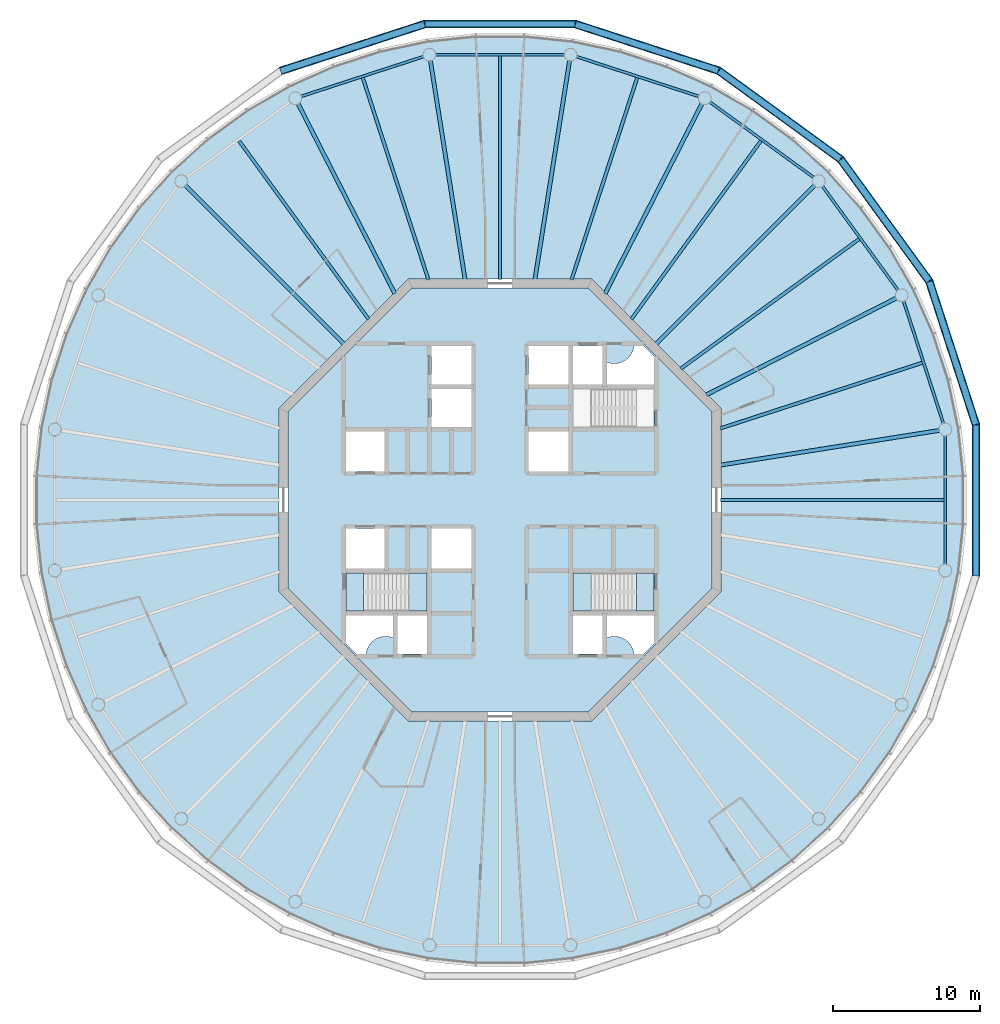
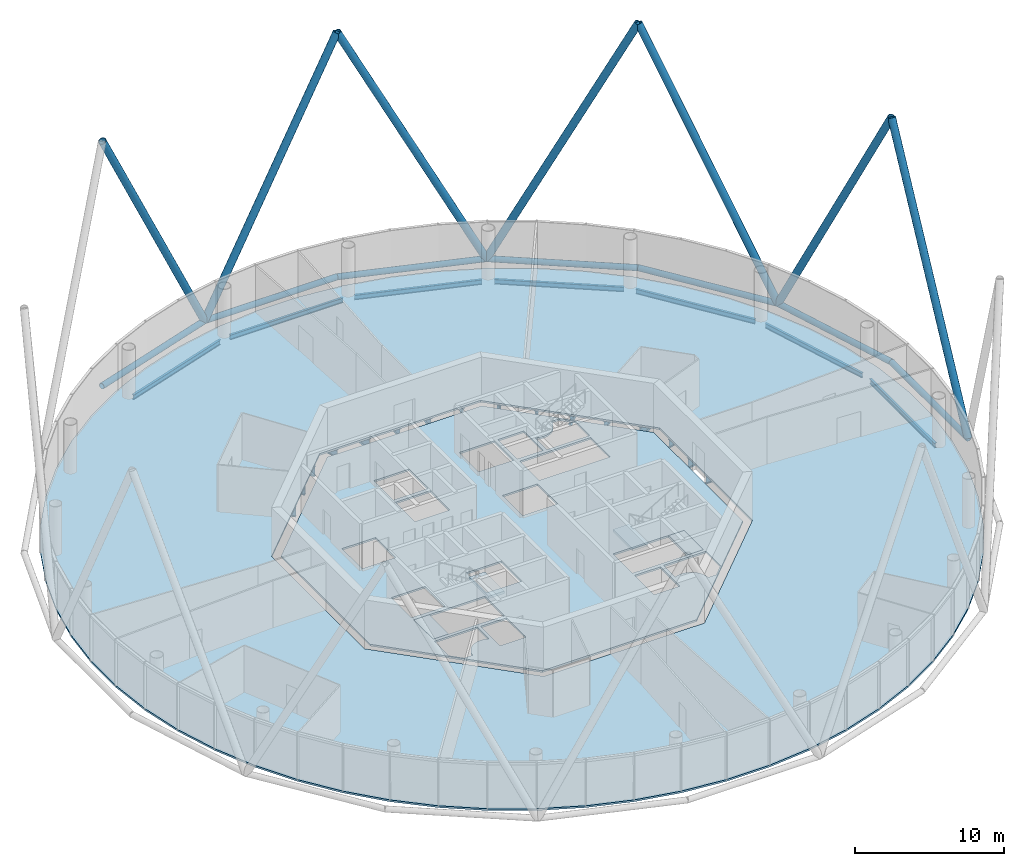
# One storey, part 2 of 13: 23 beams, 14 members, 6 slabs, 2 elements without a shape of their own.
"""IFC4 building model written with IfcOpenShell, lengths in metres."""

import ifcopenshell
import ifcopenshell.guid

model = None  # the IFC model being written
_history = None  # IfcOwnerHistory: only IFC2X3 demands one
_inside = {}  # id of a spatial element -> (the spatial element, [elements in it])
_under = {}  # id of a project, library or spatial element -> (it, [spatial elements below it])
_declared = {}  # id of a project -> (the project, [libraries it declares])
_typed = {}  # id of a type object -> (the type object, [elements of that type])
_made_of = {}  # id of a material, layer set ... -> (it, [elements and type objects made of it])


def new_model(schema):
    """Start an empty IFC model of exactly this schema.

    Asked for "IFC4X3", IfcOpenShell would pick the latest addendum, in which some entities
    have other attributes; the version numbers below select the first issue.
    IFC2X3 requires an IfcOwnerHistory on every rooted entity: one is made here for all.
    """
    global model, _history
    if schema == "IFC4X3":
        model = ifcopenshell.file(schema_version=(4, 3, 0, 0))
    else:
        model = ifcopenshell.file(schema=schema)
    _inside.clear()
    _under.clear()
    _declared.clear()
    _typed.clear()
    _made_of.clear()
    _history = None
    if model.schema == "IFC2X3":
        org = make("IfcOrganization", Name="unknown")
        user = make(
            "IfcPersonAndOrganization",
            ThePerson=make("IfcPerson", FamilyName="unknown"),
            TheOrganization=org,
        )
        app = make(
            "IfcApplication",
            ApplicationDeveloper=org,
            Version="unknown",
            ApplicationFullName="unknown",
            ApplicationIdentifier="unknown",
        )
        _history = make(
            "IfcOwnerHistory",
            OwningUser=user,
            OwningApplication=app,
            ChangeAction="ADDED",
            CreationDate=0,
        )
    return model


def make(cls, **values):
    """One entity of the class cls with the attributes given. An attribute that is None is left unset."""
    return model.create_entity(
        cls, **{name: value for name, value in values.items() if value is not None}
    )


def rooted(cls, **values):
    """An entity with a GlobalId (a new one), such as an element, a storey or a relation."""
    return make(cls, GlobalId=ifcopenshell.guid.new(), OwnerHistory=_history, **values)


def si_unit(unit_type, name, prefix=None):
    """IfcSIUnit, for example si_unit("LENGTHUNIT", "METRE", prefix="MILLI")."""
    return make("IfcSIUnit", UnitType=unit_type, Prefix=prefix, Name=name)


def assignment(units):
    """IfcUnitAssignment: the units of a project."""
    return None if units is None else make("IfcUnitAssignment", Units=units)


def point(xyz):
    """IfcCartesianPoint."""
    return None if xyz is None else make("IfcCartesianPoint", Coordinates=xyz)


def direction(xyz):
    """IfcDirection."""
    return None if xyz is None else make("IfcDirection", DirectionRatios=xyz)


def frame(location, z_axis=None, x_axis=None):
    """IfcAxis2Placement3D, a coordinate frame: its origin and axes. An axis left out is left unset."""
    return make(
        "IfcAxis2Placement3D",
        Location=point(location),
        Axis=direction(z_axis),
        RefDirection=direction(x_axis),
    )


def frame_2d(location, x_axis=None):
    """IfcAxis2Placement2D, a coordinate frame in the plane: its origin and x axis."""
    return make(
        "IfcAxis2Placement2D", Location=point(location), RefDirection=direction(x_axis)
    )


def origin():
    """The frame at (0, 0, 0) with its axes left unset."""
    return frame((0.0, 0.0, 0.0))


def origin_2d():
    """The frame at (0, 0) in the plane with its x axis left unset."""
    return frame_2d((0.0, 0.0))


def place(relative_to, where):
    """IfcLocalPlacement: puts the frame where relative to a parent placement (None: the world)."""
    return make(
        "IfcLocalPlacement", PlacementRelTo=relative_to, RelativePlacement=where
    )


def context(
    kind, dimensions, precision=None, world=None, true_north=None, identifier=None
):
    """IfcGeometricRepresentationContext, for example the 3D "Model" context."""
    return make(
        "IfcGeometricRepresentationContext",
        ContextIdentifier=identifier,
        ContextType=kind,
        CoordinateSpaceDimension=dimensions,
        Precision=precision,
        WorldCoordinateSystem=world,
        TrueNorth=true_north,
    )


def subcontext(parent, identifier, kind, view, scale=None):
    """IfcGeometricRepresentationSubContext, for example "Body" below "Model"."""
    return make(
        "IfcGeometricRepresentationSubContext",
        ContextIdentifier=identifier,
        ContextType=kind,
        ParentContext=parent,
        TargetScale=scale,
        TargetView=view,
    )


def project(units=None, contexts=None):
    """IfcProject with its units and contexts."""
    return rooted(
        "IfcProject",
        Name="project",
        RepresentationContexts=contexts,
        UnitsInContext=assignment(units),
    )


def spatial(cls, under=None, at=None, **own):
    """A site, building, storey or space (cls), placed at a placement, below another one or the project."""
    s = rooted(cls, ObjectPlacement=at, **own)
    if under is not None:
        _under.setdefault(under.id(), (under, []))[1].append(s)
    return s


def polyline(points):
    """IfcPolyline through the points."""
    return make("IfcPolyline", Points=[point(p) for p in points])


def profile(cls, at=None, kind="AREA", **sizes):
    """A parametric profile (cls). Its sizes go by their IFC names, for example OverallWidth=200.0."""
    return make(cls, ProfileType=kind, Position=at, **sizes)


def circle(**sizes):
    """IfcCircleProfileDef."""
    return profile("IfcCircleProfileDef", **sizes)


def hollow_circle(**sizes):
    """IfcCircleHollowProfileDef."""
    return profile("IfcCircleHollowProfileDef", **sizes)


def i_section(**sizes):
    """IfcIShapeProfileDef."""
    return profile("IfcIShapeProfileDef", **sizes)


def outline(outer, holes=None, kind="AREA"):
    """IfcArbitraryClosedProfileDef: a profile drawn as a closed curve; with holes, ...WithVoids."""
    if holes is None:
        return make("IfcArbitraryClosedProfileDef", ProfileType=kind, OuterCurve=outer)
    return make(
        "IfcArbitraryProfileDefWithVoids",
        ProfileType=kind,
        OuterCurve=outer,
        InnerCurves=holes,
    )


def extrude(swept, where, along, depth):
    """IfcExtrudedAreaSolid: the profile swept, set in the frame where, extruded along a direction by depth."""
    return make(
        "IfcExtrudedAreaSolid",
        SweptArea=swept,
        Position=where,
        ExtrudedDirection=direction(along),
        Depth=depth,
    )


def shape(context_of_items, identifier, shape_type, items):
    """IfcShapeRepresentation: the items that make up one representation, for example the "Body"."""
    return make(
        "IfcShapeRepresentation",
        ContextOfItems=context_of_items,
        RepresentationIdentifier=identifier,
        RepresentationType=shape_type,
        Items=items,
    )


def material(Name=None, Category=None):
    """IfcMaterial."""
    return make("IfcMaterial", Name=Name, Category=Category)


def layer(
    of_material, thickness, ventilated=None, Name=None, Category=None, Priority=None
):
    """IfcMaterialLayer: one layer of a wall or slab, of a material (None: an air gap)."""
    return make(
        "IfcMaterialLayer",
        Material=of_material,
        LayerThickness=thickness,
        IsVentilated=ventilated,
        Name=Name,
        Category=Category,
        Priority=Priority,
    )


def layer_set(layers, Name=None):
    """IfcMaterialLayerSet."""
    return make("IfcMaterialLayerSet", MaterialLayers=layers, LayerSetName=Name)


def material_profile(
    of_material, cross_section, Name=None, Category=None, Priority=None
):
    """IfcMaterialProfile: a cross section and its material."""
    return make(
        "IfcMaterialProfile",
        Name=Name,
        Material=of_material,
        Profile=cross_section,
        Priority=Priority,
        Category=Category,
    )


def profile_set(profiles, Name=None, composite=None):
    """IfcMaterialProfileSet."""
    return make(
        "IfcMaterialProfileSet",
        Name=Name,
        MaterialProfiles=profiles,
        CompositeProfile=composite,
    )


def made_of(thing, what):
    """Note that an element or type object is made of a material, layer set ...; save() writes the relation."""
    if what is not None:
        _made_of.setdefault(what.id(), (what, []))[1].append(thing)
    return thing


def type_object(cls, material=None, **own):
    """A type object (cls), such as IfcWallType, which elements share."""
    return made_of(rooted(cls, **own), material)


def element(
    cls,
    number,
    at=None,
    inside=None,
    cuts=None,
    type_object=None,
    material=None,
    context=None,
    identifier="Body",
    shape_type=None,
    held_by="IfcProductDefinitionShape",
    body=None,
    shapes=None,
    **own,
):
    """One element of the class cls, such as IfcWall. Its Tag is "e" and its number.

    at: its placement. inside: the storey or other place that contains it. cuts: it is an
    opening in that element (IfcRelVoidsElement). A single representation is given by context,
    identifier, shape_type and body (its items); several are given by shapes. held_by: the class
    of the entity that holds the representations. save() writes the other relations.
    """
    e = rooted(cls, Tag="e%d" % number, ObjectPlacement=at, **own)
    if body is not None:
        shapes = [shape(context, identifier, shape_type, body)]
    if shapes is not None:
        e.Representation = make(held_by, Representations=shapes)
    if inside is not None:
        _inside.setdefault(inside.id(), (inside, []))[1].append(e)
    if cuts is not None:
        rooted(
            "IfcRelVoidsElement", RelatingBuildingElement=cuts, RelatedOpeningElement=e
        )
    if type_object is not None:
        _typed.setdefault(type_object.id(), (type_object, []))[1].append(e)
    return made_of(e, material)


def aggregate(whole, parts):
    """IfcRelAggregates: a whole, such as a stair, and the parts it consists of."""
    return rooted("IfcRelAggregates", RelatingObject=whole, RelatedObjects=parts)


def save(model, path):
    """Write the relations noted so far, then the file.

    IfcRelAggregates (storeys below a building ...), IfcRelContainedInSpatialStructure (elements
    in a storey), IfcRelDefinesByType, IfcRelAssociatesMaterial and IfcRelDeclares: one each for
    every whole, place, type object, material and project.
    """
    for whole, parts in _under.values():
        aggregate(whole, parts)
    for where, things in _inside.values():
        rooted(
            "IfcRelContainedInSpatialStructure",
            RelatedElements=things,
            RelatingStructure=where,
        )
    for kind, things in _typed.values():
        rooted("IfcRelDefinesByType", RelatedObjects=things, RelatingType=kind)
    for what, things in _made_of.values():
        rooted("IfcRelAssociatesMaterial", RelatedObjects=things, RelatingMaterial=what)
    for by, libraries in _declared.values():
        rooted("IfcRelDeclares", RelatingContext=by, RelatedDefinitions=libraries)
    model.write(path)


model = new_model("IFC4")

# Units and contexts
model_context = context("Model", 3, precision=1e-05, world=origin(), true_north=direction((0.0, 1.0)))
body_context = subcontext(model_context, "Body", "Model", "MODEL_VIEW")
ifc_project = project(units=[si_unit("LENGTHUNIT", "METRE"), si_unit("AREAUNIT", "SQUARE_METRE"), si_unit("VOLUMEUNIT", "CUBIC_METRE"), si_unit("PLANEANGLEUNIT", "RADIAN"), si_unit("MASSUNIT", "GRAM", prefix="KILO")], contexts=[model_context])

# Site, building, storey
site_placement = place(None, origin())
site = spatial("IfcSite", under=ifc_project, at=site_placement, CompositionType="ELEMENT")
building_placement = place(site_placement, origin())
building = spatial("IfcBuilding", under=site, at=building_placement, Name="Entoto Ring Tower", CompositionType="ELEMENT")
storey_placement = place(building_placement, frame((0.0, 0.0, 372.0)))
storey = spatial("IfcBuildingStorey", under=building, at=storey_placement, Name="L86", CompositionType="ELEMENT", Elevation=372.0)

# Members
ifc_material_1 = material(Name="Steel S355", Category="steel")
ifc_material_profile_1 = material_profile(ifc_material_1, hollow_circle(Radius=0.279541015625, WallThickness=0.031982421875, at=origin_2d()), Name="CHS 559 x 32")
ifc_material_2 = material(Name="Concrete C60/75", Category="concrete")
ifc_material_profile_2 = material_profile(ifc_material_2, circle(Radius=0.24755859375, at=origin_2d()), Name="Concrete C60/75 infill")
ifc_profile_set_1 = profile_set([ifc_material_profile_1, ifc_material_profile_2], Name="Steel S355")
member_type_1 = type_object("IfcMemberType", Name="Diagrid diagonal 559 x 32 concrete-filled tube", PredefinedType="BRACE", material=ifc_profile_set_1)
for number, where, z_axis, x_axis, name in (
    (1, (119.135986328125, 94.845458984375, 0.0), (0.140725857901, -0.433121348428, 0.890282051068), (0.95105896794, 0.309009448885, 0.0), "DG7A module 28 01"),
    (2, (119.135986328125, 94.845458984375, 0.0), (-0.2676922089, 0.368435420028, 0.890278733074), (-0.809008424404, -0.587797047665, 0.0), "DG7A module 28 02"),
    (3, (104.845458984375, 109.135986328125, 0.0), (0.368435420028, -0.2676922089, 0.890278733074), (0.587797047665, 0.809008424404, 0.0), "DG7A module 28 03"),
    (4, (104.845458984375, 109.135986328125, 0.0), (-0.433121348428, 0.140725857901, 0.890282051068), (-0.309009448885, -0.95105896794, 0.0), "DG7A module 28 04"),
    (5, (84.884521484375, 112.29736328125, 0.0), (0.455419317756, 0.0, 0.890277060816), (0.0, 1.0, 0.0), "DG7A module 28 05"),
    (6, (84.884521484375, 112.29736328125, 0.0), (-0.433121348428, -0.140725857901, 0.890282051068), (0.309009448885, -0.95105896794, 0.0), "DG7A module 28 06"),
    (7, (122.29736328125, 74.884521484375, 0.0), (0.0, 0.455419317756, 0.890277060816), (-1.0, 0.0, 0.0), "DG7A module 28 20"),
):
    element("IfcMember", number, at=place(storey_placement, frame(where, z_axis=z_axis, x_axis=x_axis)), inside=storey, type_object=member_type_1, Name=name, PredefinedType="BRACE", context=body_context, shape_type="SweptSolid", body=[
        extrude(hollow_circle(Radius=0.279541015625, WallThickness=0.031982421875, at=origin_2d()), origin(), (0.0, 0.0, 1.0), 22.46484375),
    ])
ifc_material_3 = material(Name="Steel S355", Category="steel")
ifc_material_profile_3 = material_profile(ifc_material_3, hollow_circle(Radius=0.228515625, WallThickness=0.02001953125, at=origin_2d()), Name="CHS 457 x 20")
ifc_material_4 = material(Name="Concrete C60/75", Category="concrete")
ifc_material_profile_4 = material_profile(ifc_material_4, circle(Radius=0.20849609375, at=origin_2d()), Name="Concrete C60/75 infill")
ifc_profile_set_2 = profile_set([ifc_material_profile_3, ifc_material_profile_4], Name="Steel S355")
member_type_2 = type_object("IfcMemberType", Name="Diagrid ring beam 457 x 20", PredefinedType="CHORD", material=ifc_profile_set_2)
for number, where, z_axis, x_axis, name in (
    (8, (119.1689453125, 94.800048828125, 0.0), (-0.587781465034, 0.809019745966, 0.0), (-0.809019745966, -0.587781465034, 0.0), "DR3 ring 27 01"),
    (9, (113.16796875, 103.08935546875, 0.0), (-0.809019745966, 0.587781465034, 0.0), (-0.587781465034, -0.809019745966, 0.0), "DR3 ring 27 02"),
):
    element("IfcMember", number, at=place(storey_placement, frame(where, z_axis=z_axis, x_axis=x_axis)), inside=storey, type_object=member_type_2, Name=name, PredefinedType="CHORD", context=body_context, shape_type="SweptSolid", body=[
        extrude(hollow_circle(Radius=0.228515625, WallThickness=0.02001953125, at=origin_2d()), origin(), (0.0, 0.0, 1.0), 10.34326171875),
    ])
member_1_placement = place(storey_placement, frame((104.89892578125, 109.11865234375, 0.0), z_axis=(-0.951061125206, 0.309002809244, 0.0), x_axis=(-0.309002809244, -0.951061125206, 0.0)))
element("IfcMember", 10, at=member_1_placement, inside=storey, type_object=member_type_2, Name="DR3 ring 27 03", PredefinedType="CHORD", context=body_context, shape_type="SweptSolid", body=[
    extrude(hollow_circle(Radius=0.228515625, WallThickness=0.02001953125, at=origin_2d()), origin(), (0.0, 0.0, 1.0), 10.343017578125),
])
member_2_placement = place(storey_placement, frame((95.171630859375, 112.29736328125, 0.0), z_axis=(-1.0, 0.0, 0.0), x_axis=(0.0, -1.0, 0.0)))
element("IfcMember", 11, at=member_2_placement, inside=storey, type_object=member_type_2, Name="DR3 ring 27 04", PredefinedType="CHORD", context=body_context, shape_type="SweptSolid", body=[
    extrude(hollow_circle(Radius=0.228515625, WallThickness=0.02001953125, at=origin_2d()), origin(), (0.0, 0.0, 1.0), 10.34326171875),
])
member_3_placement = place(storey_placement, frame((84.93798828125, 112.314697265625, 0.0), z_axis=(-0.951061125206, -0.309002809244, 0.0), x_axis=(0.309002809244, -0.951061125206, 0.0)))
element("IfcMember", 12, at=member_3_placement, inside=storey, type_object=member_type_2, Name="DR3 ring 27 05", PredefinedType="CHORD", context=body_context, shape_type="SweptSolid", body=[
    extrude(hollow_circle(Radius=0.228515625, WallThickness=0.02001953125, at=origin_2d()), origin(), (0.0, 0.0, 1.0), 10.343017578125),
])
member_4_placement = place(storey_placement, frame((122.29736328125, 74.828369140625, 0.0), z_axis=(0.0, 1.0, 0.0), x_axis=(-1.0, 0.0, 0.0)))
element("IfcMember", 13, at=member_4_placement, inside=storey, type_object=member_type_2, Name="DR3 ring 27 19", PredefinedType="CHORD", context=body_context, shape_type="SweptSolid", body=[
    extrude(hollow_circle(Radius=0.228515625, WallThickness=0.02001953125, at=origin_2d()), origin(), (0.0, 0.0, 1.0), 10.34326171875),
])
member_5_placement = place(storey_placement, frame((122.314697265625, 85.06201171875, 0.0), z_axis=(-0.309002809244, 0.951061125206, 0.0), x_axis=(-0.951061125206, -0.309002809244, 0.0)))
element("IfcMember", 14, at=member_5_placement, inside=storey, type_object=member_type_2, Name="DR3 ring 27 20", PredefinedType="CHORD", context=body_context, shape_type="SweptSolid", body=[
    extrude(hollow_circle(Radius=0.228515625, WallThickness=0.02001953125, at=origin_2d()), origin(), (0.0, 0.0, 1.0), 10.343017578125),
])

# Beams
ifc_material_5 = material(Name="Steel S355", Category="steel")
ifc_material_profile_5 = material_profile(ifc_material_5, i_section(OverallWidth=0.179931640625, OverallDepth=0.39990234375, WebThickness=0.008544921875, FlangeThickness=0.013427734375, FilletRadius=0.02099609375, at=origin_2d()), Name="IPE 400")
ifc_profile_set_3 = profile_set([ifc_material_profile_5], Name="Steel S355")
beam_type_1 = type_object("IfcBeamType", Name="Edge beam IPE 400", PredefinedType="SPANDREL", material=ifc_profile_set_3)
beam_1_placement = place(storey_placement, frame((120.09326171875, 85.187255859375, -0.35009765625), z_axis=(-0.309030438368, 0.951052147972, 0.0), x_axis=(-0.951052147972, -0.309030438368, 0.0)))
element("IfcBeam", 15, at=beam_1_placement, inside=storey, type_object=beam_type_1, Name="Edge beam L86 01", PredefinedType="SPANDREL", context=body_context, shape_type="SweptSolid", body=[
    extrude(i_section(OverallWidth=0.179931640625, OverallDepth=0.39990234375, WebThickness=0.008544921875, FlangeThickness=0.013427734375, FilletRadius=0.02099609375, at=origin_2d()), origin(), (0.0, 0.0, 1.0), 8.732177734375),
])
for number, where, z_axis, x_axis, name in (
    (16, (117.017333984375, 94.232666015625, -0.35009765625), (-0.587794254874, 0.80901045354, 0.0), (-0.80901045354, -0.587794254874, 0.0), "Edge beam L86 02"),
    (17, (111.296875, 101.884765625, -0.35009765625), (-0.80901045354, 0.587794254874, 0.0), (-0.587794254874, -0.80901045354, 0.0), "Edge beam L86 03"),
):
    element("IfcBeam", number, at=place(storey_placement, frame(where, z_axis=z_axis, x_axis=x_axis)), inside=storey, type_object=beam_type_1, Name=name, PredefinedType="SPANDREL", context=body_context, shape_type="SweptSolid", body=[
        extrude(i_section(OverallWidth=0.179931640625, OverallDepth=0.39990234375, WebThickness=0.008544921875, FlangeThickness=0.013427734375, FilletRadius=0.02099609375, at=origin_2d()), origin(), (0.0, 0.0, 1.0), 8.73193359375),
    ])
beam_2_placement = place(storey_placement, frame((103.491943359375, 107.394775390625, -0.35009765625), z_axis=(-0.951052147972, 0.309030438368, 0.0), x_axis=(-0.309030438368, -0.951052147972, 0.0)))
element("IfcBeam", 18, at=beam_2_placement, inside=storey, type_object=beam_type_1, Name="Edge beam L86 04", PredefinedType="SPANDREL", context=body_context, shape_type="SweptSolid", body=[
    extrude(i_section(OverallWidth=0.179931640625, OverallDepth=0.39990234375, WebThickness=0.008544921875, FlangeThickness=0.013427734375, FilletRadius=0.02099609375, at=origin_2d()), origin(), (0.0, 0.0, 1.0), 8.732177734375),
])
beam_3_placement = place(storey_placement, frame((94.365966796875, 110.22314453125, -0.35009765625), z_axis=(-1.0, 0.0, 0.0), x_axis=(0.0, -1.0, 0.0)))
element("IfcBeam", 19, at=beam_3_placement, inside=storey, type_object=beam_type_1, Name="Edge beam L86 05", PredefinedType="SPANDREL", context=body_context, shape_type="SweptSolid", body=[
    extrude(i_section(OverallWidth=0.179931640625, OverallDepth=0.39990234375, WebThickness=0.008544921875, FlangeThickness=0.013427734375, FilletRadius=0.02099609375, at=origin_2d()), origin(), (0.0, 0.0, 1.0), 8.73193359375),
])
beam_4_placement = place(storey_placement, frame((84.812744140625, 110.09326171875, -0.35009765625), z_axis=(-0.951052147972, -0.309030438368, 0.0), x_axis=(0.309030438368, -0.951052147972, 0.0)))
element("IfcBeam", 20, at=beam_4_placement, inside=storey, type_object=beam_type_1, Name="Edge beam L86 06", PredefinedType="SPANDREL", context=body_context, shape_type="SweptSolid", body=[
    extrude(i_section(OverallWidth=0.179931640625, OverallDepth=0.39990234375, WebThickness=0.008544921875, FlangeThickness=0.013427734375, FilletRadius=0.02099609375, at=origin_2d()), origin(), (0.0, 0.0, 1.0), 8.732177734375),
])
beam_5_placement = place(storey_placement, frame((120.22314453125, 75.634033203125, -0.35009765625), z_axis=(0.0, 1.0, 0.0), x_axis=(-1.0, 0.0, 0.0)))
element("IfcBeam", 21, at=beam_5_placement, inside=storey, type_object=beam_type_1, Name="Edge beam L86 20", PredefinedType="SPANDREL", context=body_context, shape_type="SweptSolid", body=[
    extrude(i_section(OverallWidth=0.179931640625, OverallDepth=0.39990234375, WebThickness=0.008544921875, FlangeThickness=0.013427734375, FilletRadius=0.02099609375, at=origin_2d()), origin(), (0.0, 0.0, 1.0), 8.73193359375),
])
ifc_material_6 = material(Name="Steel S355", Category="steel")
ifc_material_profile_6 = material_profile(ifc_material_6, i_section(OverallWidth=0.262939453125, OverallDepth=0.7529296875, WebThickness=0.011474609375, FlangeThickness=0.01708984375, FilletRadius=0.01708984375, at=origin_2d()), Name="IPE 750 x 137")
ifc_profile_set_4 = profile_set([ifc_material_profile_6], Name="Steel S355")
beam_type_2 = type_object("IfcBeamType", Name="Primary floor beam IPE 750 x 137", PredefinedType="BEAM", material=ifc_profile_set_4)
beam_6_placement = place(storey_placement, frame((104.959716796875, 82.369384765625, -0.526611328125), z_axis=(0.987688638122, 0.156432586517, 0.0), x_axis=(-0.156432586517, 0.987688638122, 0.0)))
element("IfcBeam", 22, at=beam_6_placement, inside=storey, type_object=beam_type_2, Name="Primary L86 R01", PredefinedType="BEAM", context=body_context, shape_type="SweptSolid", body=[
    extrude(i_section(OverallWidth=0.262939453125, OverallDepth=0.7529296875, WebThickness=0.011474609375, FlangeThickness=0.01708984375, FilletRadius=0.01708984375, at=origin_2d()), origin(), (0.0, 0.0, 1.0), 15.04345703125),
])
beam_7_placement = place(storey_placement, frame((103.9970703125, 87.1318359375, -0.526611328125), z_axis=(0.89100578373, 0.453991952968, 0.0), x_axis=(-0.453991952968, 0.89100578373, 0.0)))
element("IfcBeam", 23, at=beam_7_placement, inside=storey, type_object=beam_type_2, Name="Primary L86 R02", PredefinedType="BEAM", context=body_context, shape_type="SweptSolid", body=[
    extrude(i_section(OverallWidth=0.262939453125, OverallDepth=0.7529296875, WebThickness=0.011474609375, FlangeThickness=0.01708984375, FilletRadius=0.01708984375, at=origin_2d()), origin(), (0.0, 0.0, 1.0), 14.48046875),
])
beam_8_placement = place(storey_placement, frame((100.592529296875, 90.592529296875, -0.526611328125), z_axis=(0.707106781187, 0.707106781187, 0.0), x_axis=(-0.707106781187, 0.707106781187, 0.0)))
element("IfcBeam", 24, at=beam_8_placement, inside=storey, type_object=beam_type_2, Name="Primary L86 R03", PredefinedType="BEAM", context=body_context, shape_type="SweptSolid", body=[
    extrude(i_section(OverallWidth=0.262939453125, OverallDepth=0.7529296875, WebThickness=0.011474609375, FlangeThickness=0.01708984375, FilletRadius=0.01708984375, at=origin_2d()), origin(), (0.0, 0.0, 1.0), 15.209716796875),
])
beam_9_placement = place(storey_placement, frame((97.1318359375, 93.9970703125, -0.526611328125), z_axis=(0.453991952968, 0.89100578373, 0.0), x_axis=(-0.89100578373, 0.453991952968, 0.0)))
element("IfcBeam", 25, at=beam_9_placement, inside=storey, type_object=beam_type_2, Name="Primary L86 R04", PredefinedType="BEAM", context=body_context, shape_type="SweptSolid", body=[
    extrude(i_section(OverallWidth=0.262939453125, OverallDepth=0.7529296875, WebThickness=0.011474609375, FlangeThickness=0.01708984375, FilletRadius=0.01708984375, at=origin_2d()), origin(), (0.0, 0.0, 1.0), 14.48046875),
])
for number, where, z_axis, x_axis, name in (
    (26, (92.369384765625, 94.959716796875, -0.526611328125), (0.156432586517, 0.987688638122, 0.0), (-0.987688638122, 0.156432586517, 0.0), "Primary L86 R05"),
    (27, (87.630615234375, 94.959716796875, -0.526611328125), (-0.156432586517, 0.987688638122, 0.0), (-0.987688638122, -0.156432586517, 0.0), "Primary L86 R06"),
):
    element("IfcBeam", number, at=place(storey_placement, frame(where, z_axis=z_axis, x_axis=x_axis)), inside=storey, type_object=beam_type_2, Name=name, PredefinedType="BEAM", context=body_context, shape_type="SweptSolid", body=[
        extrude(i_section(OverallWidth=0.262939453125, OverallDepth=0.7529296875, WebThickness=0.011474609375, FlangeThickness=0.01708984375, FilletRadius=0.01708984375, at=origin_2d()), origin(), (0.0, 0.0, 1.0), 15.04345703125),
    ])
beam_10_placement = place(storey_placement, frame((82.8681640625, 93.9970703125, -0.526611328125), z_axis=(-0.453991952968, 0.89100578373, 0.0), x_axis=(-0.89100578373, -0.453991952968, 0.0)))
element("IfcBeam", 28, at=beam_10_placement, inside=storey, type_object=beam_type_2, Name="Primary L86 R07", PredefinedType="BEAM", context=body_context, shape_type="SweptSolid", body=[
    extrude(i_section(OverallWidth=0.262939453125, OverallDepth=0.7529296875, WebThickness=0.011474609375, FlangeThickness=0.01708984375, FilletRadius=0.01708984375, at=origin_2d()), origin(), (0.0, 0.0, 1.0), 14.48046875),
])
beam_11_placement = place(storey_placement, frame((79.407470703125, 90.592529296875, -0.526611328125), z_axis=(-0.707106781187, 0.707106781187, 0.0), x_axis=(-0.707106781187, -0.707106781187, 0.0)))
element("IfcBeam", 29, at=beam_11_placement, inside=storey, type_object=beam_type_2, Name="Primary L86 R08", PredefinedType="BEAM", context=body_context, shape_type="SweptSolid", body=[
    extrude(i_section(OverallWidth=0.262939453125, OverallDepth=0.7529296875, WebThickness=0.011474609375, FlangeThickness=0.01708984375, FilletRadius=0.01708984375, at=origin_2d()), origin(), (0.0, 0.0, 1.0), 15.209716796875),
])
ifc_material_7 = material(Name="Steel S355", Category="steel")
ifc_material_profile_7 = material_profile(ifc_material_7, i_section(OverallWidth=0.219970703125, OverallDepth=0.60009765625, WebThickness=0.011962890625, FlangeThickness=0.01904296875, FilletRadius=0.02392578125, at=origin_2d()), Name="IPE 600")
ifc_profile_set_5 = profile_set([ifc_material_profile_7], Name="Steel S355")
beam_type_3 = type_object("IfcBeamType", Name="Secondary floor beam IPE 600", PredefinedType="JOIST", material=ifc_profile_set_5)
beam_12_placement = place(storey_placement, frame((104.947021484375, 84.856689453125, -0.449951171875), z_axis=(0.951057212949, 0.309014850288, 0.0), x_axis=(-0.309014850288, 0.951057212949, 0.0)))
element("IfcBeam", 30, at=beam_12_placement, inside=storey, type_object=beam_type_3, Name="Secondary beam L86 01", PredefinedType="JOIST", context=body_context, shape_type="SweptSolid", body=[
    extrude(i_section(OverallWidth=0.219970703125, OverallDepth=0.60009765625, WebThickness=0.011962890625, FlangeThickness=0.01904296875, FilletRadius=0.02392578125, at=origin_2d()), origin(), (0.0, 0.0, 1.0), 14.4169921875),
])
for number, where, z_axis, x_axis, name in (
    (31, (102.25634765625, 88.90478515625, -0.449951171875), (0.809019238239, 0.587782163866, 0.0), (-0.587782163866, 0.809019238239, 0.0), "Secondary beam L86 02"),
    (32, (98.90478515625, 92.25634765625, -0.449951171875), (0.587782163866, 0.809019238239, 0.0), (-0.809019238239, 0.587782163866, 0.0), "Secondary beam L86 03"),
):
    element("IfcBeam", number, at=place(storey_placement, frame(where, z_axis=z_axis, x_axis=x_axis)), inside=storey, type_object=beam_type_3, Name=name, PredefinedType="JOIST", context=body_context, shape_type="SweptSolid", body=[
        extrude(i_section(OverallWidth=0.219970703125, OverallDepth=0.60009765625, WebThickness=0.011962890625, FlangeThickness=0.01904296875, FilletRadius=0.02392578125, at=origin_2d()), origin(), (0.0, 0.0, 1.0), 14.983642578125),
    ])
beam_13_placement = place(storey_placement, frame((94.856689453125, 94.947021484375, -0.449951171875), z_axis=(0.309014850288, 0.951057212949, 0.0), x_axis=(-0.951057212949, 0.309014850288, 0.0)))
element("IfcBeam", 33, at=beam_13_placement, inside=storey, type_object=beam_type_3, Name="Secondary beam L86 04", PredefinedType="JOIST", context=body_context, shape_type="SweptSolid", body=[
    extrude(i_section(OverallWidth=0.219970703125, OverallDepth=0.60009765625, WebThickness=0.011962890625, FlangeThickness=0.01904296875, FilletRadius=0.02392578125, at=origin_2d()), origin(), (0.0, 0.0, 1.0), 14.4169921875),
])
beam_14_placement = place(storey_placement, frame((90.0, 94.97998046875, -0.449951171875), z_axis=(0.0, 1.0, 0.0), x_axis=(-1.0, 0.0, 0.0)))
element("IfcBeam", 34, at=beam_14_placement, inside=storey, type_object=beam_type_3, Name="Secondary beam L86 05", PredefinedType="JOIST", context=body_context, shape_type="SweptSolid", body=[
    extrude(i_section(OverallWidth=0.219970703125, OverallDepth=0.60009765625, WebThickness=0.011962890625, FlangeThickness=0.01904296875, FilletRadius=0.02392578125, at=origin_2d()), origin(), (0.0, 0.0, 1.0), 15.1533203125),
])
beam_15_placement = place(storey_placement, frame((85.143310546875, 94.947021484375, -0.449951171875), z_axis=(-0.309014850288, 0.951057212949, 0.0), x_axis=(-0.951057212949, -0.309014850288, 0.0)))
element("IfcBeam", 35, at=beam_15_placement, inside=storey, type_object=beam_type_3, Name="Secondary beam L86 06", PredefinedType="JOIST", context=body_context, shape_type="SweptSolid", body=[
    extrude(i_section(OverallWidth=0.219970703125, OverallDepth=0.60009765625, WebThickness=0.011962890625, FlangeThickness=0.01904296875, FilletRadius=0.02392578125, at=origin_2d()), origin(), (0.0, 0.0, 1.0), 14.4169921875),
])
beam_16_placement = place(storey_placement, frame((81.09521484375, 92.25634765625, -0.449951171875), z_axis=(-0.587782163866, 0.809019238239, 0.0), x_axis=(-0.809019238239, -0.587782163866, 0.0)))
element("IfcBeam", 36, at=beam_16_placement, inside=storey, type_object=beam_type_3, Name="Secondary beam L86 07", PredefinedType="JOIST", context=body_context, shape_type="SweptSolid", body=[
    extrude(i_section(OverallWidth=0.219970703125, OverallDepth=0.60009765625, WebThickness=0.011962890625, FlangeThickness=0.01904296875, FilletRadius=0.02392578125, at=origin_2d()), origin(), (0.0, 0.0, 1.0), 14.983642578125),
])
beam_17_placement = place(storey_placement, frame((104.97998046875, 80.0, -0.449951171875), z_axis=(1.0, 0.0, 0.0), x_axis=(0.0, 1.0, 0.0)))
element("IfcBeam", 37, at=beam_17_placement, inside=storey, type_object=beam_type_3, Name="Secondary beam L86 20", PredefinedType="JOIST", context=body_context, shape_type="SweptSolid", body=[
    extrude(i_section(OverallWidth=0.219970703125, OverallDepth=0.60009765625, WebThickness=0.011962890625, FlangeThickness=0.01904296875, FilletRadius=0.02392578125, at=origin_2d()), origin(), (0.0, 0.0, 1.0), 15.1533203125),
])

# Slabs
ifc_material_8 = material(Name="Concrete C30/37", Category="concrete")
ifc_layer_1 = layer(ifc_material_8, 0.14990234375)
ifc_layer_set_1 = layer_set([ifc_layer_1], Name="Concrete C30/37")
slab_type_1 = type_object("IfcSlabType", Name="Composite floor slab 150 mm", PredefinedType="FLOOR", material=ifc_layer_set_1)
slab_1_placement = place(storey_placement, frame((0.0, 0.0, -0.14990234375)))
element("IfcSlab", 38, at=slab_1_placement, inside=storey, type_object=slab_type_1, Name="Floor slab L86", PredefinedType="FLOOR", context=body_context, shape_type="SweptSolid", body=[
    extrude(outline(polyline([(121.2109375, 84.943359375), (120.523193359375, 88.1787109375), (119.501220703125, 91.324462890625), (118.15576171875, 94.34619140625), (116.501953125, 97.210693359375), (114.557861328125, 99.886474609375), (112.344482421875, 102.344482421875), (109.886474609375, 104.557861328125), (107.210693359375, 106.501953125), (104.34619140625, 108.15576171875), (101.324462890625, 109.501220703125), (98.1787109375, 110.523193359375), (94.943359375, 111.2109375), (91.65380859375, 111.556640625), (88.34619140625, 111.556640625), (85.056640625, 111.2109375), (81.8212890625, 110.523193359375), (78.675537109375, 109.501220703125), (75.65380859375, 108.15576171875), (72.789306640625, 106.501953125), (70.113525390625, 104.557861328125), (67.655517578125, 102.344482421875), (65.442138671875, 99.886474609375), (63.498046875, 97.210693359375), (61.84423828125, 94.34619140625), (60.498779296875, 91.324462890625), (59.476806640625, 88.1787109375), (58.7890625, 84.943359375), (58.443359375, 81.65380859375), (58.443359375, 78.34619140625), (58.7890625, 75.056640625), (59.476806640625, 71.8212890625), (60.498779296875, 68.675537109375), (61.84423828125, 65.65380859375), (63.498046875, 62.789306640625), (65.442138671875, 60.113525390625), (67.655517578125, 57.655517578125), (70.113525390625, 55.442138671875), (72.789306640625, 53.498046875), (75.65380859375, 51.84423828125), (78.675537109375, 50.498779296875), (81.8212890625, 49.476806640625), (85.056640625, 48.7890625), (88.34619140625, 48.443359375), (91.65380859375, 48.443359375), (94.943359375, 48.7890625), (98.1787109375, 49.476806640625), (101.324462890625, 50.498779296875), (104.34619140625, 51.84423828125), (107.210693359375, 53.498046875), (109.886474609375, 55.442138671875), (112.344482421875, 57.655517578125), (114.557861328125, 60.113525390625), (116.501953125, 62.789306640625), (118.15576171875, 65.65380859375), (119.501220703125, 68.675537109375), (120.523193359375, 71.8212890625), (121.2109375, 75.056640625), (121.556640625, 78.34619140625), (121.556640625, 81.65380859375), (121.2109375, 84.943359375)]), holes=[polyline([(105.0, 73.786865234375), (105.0, 86.213134765625), (96.213134765625, 95.0), (83.786865234375, 95.0), (75.0, 86.213134765625), (75.0, 73.786865234375), (83.786865234375, 65.0), (96.213134765625, 65.0), (105.0, 73.786865234375)])]), origin(), (0.0, 0.0, 1.0), 0.14990234375),
])
ifc_material_9 = material(Name="Concrete C40/50", Category="concrete")
ifc_layer_2 = layer(ifc_material_9, 0.14990234375)
ifc_layer_set_2 = layer_set([ifc_layer_2], Name="Concrete C40/50")
slab_type_2 = type_object("IfcSlabType", Name="Core floor slab 150 mm reinforced concrete C40/50", PredefinedType="FLOOR", material=ifc_layer_set_2)
slab_2_placement = place(storey_placement, frame((0.0, 0.0, -0.14990234375)))
element("IfcSlab", 39, at=slab_2_placement, inside=storey, type_object=slab_type_2, Name="Core floor L86", PredefinedType="FLOOR", context=body_context, shape_type="SweptSolid", body=[
    extrude(outline(polyline([(104.39990234375, 74.035400390625), (104.39990234375, 85.964599609375), (95.964599609375, 94.39990234375), (84.035400390625, 94.39990234375), (75.60009765625, 85.964599609375), (75.60009765625, 74.035400390625), (84.035400390625, 65.60009765625), (95.964599609375, 65.60009765625), (104.39990234375, 74.035400390625)]), holes=[polyline([(100.449951171875, 84.949951171875), (100.449951171875, 87.550048828125), (94.949951171875, 87.550048828125), (94.949951171875, 84.949951171875), (100.449951171875, 84.949951171875)]), polyline([(85.050048828125, 72.449951171875), (85.050048828125, 75.050048828125), (79.550048828125, 75.050048828125), (79.550048828125, 72.449951171875), (85.050048828125, 72.449951171875)]), polyline([(100.449951171875, 72.449951171875), (100.449951171875, 75.050048828125), (94.949951171875, 75.050048828125), (94.949951171875, 72.449951171875), (100.449951171875, 72.449951171875)]), polyline([(94.949951171875, 90.449951171875), (94.949951171875, 87.85009765625), (96.949951171875, 87.85009765625), (96.949951171875, 90.449951171875), (94.949951171875, 90.449951171875)]), polyline([(94.949951171875, 72.14990234375), (94.949951171875, 69.550048828125), (96.949951171875, 69.550048828125), (96.949951171875, 72.14990234375), (94.949951171875, 72.14990234375)]), polyline([(83.050048828125, 72.14990234375), (83.050048828125, 69.550048828125), (85.050048828125, 69.550048828125), (85.050048828125, 72.14990234375), (83.050048828125, 72.14990234375)]), polyline([(79.550048828125, 81.949951171875), (82.14990234375, 81.949951171875), (82.14990234375, 84.64990234375), (79.550048828125, 84.64990234375), (79.550048828125, 81.949951171875)]), polyline([(79.550048828125, 75.35009765625), (82.14990234375, 75.35009765625), (82.14990234375, 78.050048828125), (79.550048828125, 78.050048828125), (79.550048828125, 75.35009765625)]), polyline([(91.949951171875, 87.85009765625), (94.64990234375, 87.85009765625), (94.64990234375, 90.449951171875), (91.949951171875, 90.449951171875), (91.949951171875, 87.85009765625)]), polyline([(91.949951171875, 81.949951171875), (94.64990234375, 81.949951171875), (94.64990234375, 84.64990234375), (91.949951171875, 84.64990234375), (91.949951171875, 81.949951171875)]), polyline([(85.35009765625, 75.35009765625), (88.050048828125, 75.35009765625), (88.050048828125, 78.050048828125), (85.35009765625, 78.050048828125), (85.35009765625, 75.35009765625)]), polyline([(85.35009765625, 84.949951171875), (88.050048828125, 84.949951171875), (88.050048828125, 87.550048828125), (85.35009765625, 87.550048828125), (85.35009765625, 84.949951171875)]), polyline([(85.35009765625, 87.85009765625), (88.050048828125, 87.85009765625), (88.050048828125, 90.449951171875), (85.35009765625, 90.449951171875), (85.35009765625, 87.85009765625)]), polyline([(97.199951171875, 89.368408203125), (97.199951171875, 87.800048828125), (100.5, 87.800048828125), (100.5, 89.723388671875), (99.723388671875, 90.5), (99.09521484375, 90.5), (99.093505859375, 90.4677734375), (99.07421875, 90.336669921875), (99.0419921875, 90.2080078125), (98.997314453125, 90.08349609375), (98.940673828125, 89.963623046875), (98.87255859375, 89.85009765625), (98.793701171875, 89.74365234375), (98.70458984375, 89.6455078125), (98.6064453125, 89.556396484375), (98.5, 89.4775390625), (98.386474609375, 89.409423828125), (98.2666015625, 89.352783203125), (98.141845703125, 89.30810546875), (98.013427734375, 89.27587890625), (97.88232421875, 89.256591796875), (97.75, 89.25), (97.61767578125, 89.256591796875), (97.486572265625, 89.27587890625), (97.358154296875, 89.30810546875), (97.2333984375, 89.352783203125), (97.199951171875, 89.368408203125)]), polyline([(80.276611328125, 69.5), (80.90478515625, 69.5), (80.906494140625, 69.5322265625), (80.92578125, 69.663330078125), (80.9580078125, 69.7919921875), (81.002685546875, 69.91650390625), (81.059326171875, 70.036376953125), (81.12744140625, 70.14990234375), (81.206298828125, 70.25634765625), (81.29541015625, 70.3544921875), (81.3935546875, 70.443603515625), (81.5, 70.5224609375), (81.613525390625, 70.590576171875), (81.7333984375, 70.647216796875), (81.858154296875, 70.69189453125), (81.986572265625, 70.72412109375), (82.11767578125, 70.743408203125), (82.25, 70.75), (82.38232421875, 70.743408203125), (82.513427734375, 70.72412109375), (82.641845703125, 70.69189453125), (82.7666015625, 70.647216796875), (82.800048828125, 70.631591796875), (82.800048828125, 72.199951171875), (79.5, 72.199951171875), (79.5, 70.276611328125), (80.276611328125, 69.5)]), polyline([(99.09521484375, 69.5), (99.723388671875, 69.5), (100.5, 70.276611328125), (100.5, 72.199951171875), (97.199951171875, 72.199951171875), (97.199951171875, 70.631591796875), (97.2333984375, 70.647216796875), (97.358154296875, 70.69189453125), (97.486572265625, 70.72412109375), (97.61767578125, 70.743408203125), (97.75, 70.75), (97.88232421875, 70.743408203125), (98.013427734375, 70.72412109375), (98.141845703125, 70.69189453125), (98.2666015625, 70.647216796875), (98.386474609375, 70.590576171875), (98.5, 70.5224609375), (98.6064453125, 70.443603515625), (98.70458984375, 70.3544921875), (98.793701171875, 70.25634765625), (98.87255859375, 70.14990234375), (98.940673828125, 70.036376953125), (98.997314453125, 69.91650390625), (99.0419921875, 69.7919921875), (99.07421875, 69.663330078125), (99.093505859375, 69.5322265625), (99.09521484375, 69.5)])]), origin(), (0.0, 0.0, 1.0), 0.14990234375),
])

# Stair, slabs
ifc_material_10 = material(Name="Concrete C40/50", Category="concrete")
stair_type = type_object("IfcStairType", Name="Exit stair 1200 mm dog-leg reinforced concrete", PredefinedType="HALF_TURN_STAIR", material=ifc_material_10)
stair_1_placement = place(storey_placement, origin())
stair_1 = element("IfcStair", 40, at=stair_1_placement, inside=storey, type_object=stair_type, Name="Exit stair 2", PredefinedType="HALF_TURN_STAIR")
ifc_material_11 = material(Name="Concrete C40/50", Category="concrete")
ifc_layer_3 = layer(ifc_material_11, 0.199951171875)
ifc_layer_set_3 = layer_set([ifc_layer_3], Name="Concrete C40/50")
slab_type_3 = type_object("IfcSlabType", Name="Stair landing 200 mm reinforced concrete", PredefinedType="LANDING", material=ifc_layer_set_3)
slab_3_placement = place(storey_placement, frame((0.0, 0.0, -0.199951171875)))
slab_3 = element("IfcSlab", 41, at=slab_3_placement, type_object=slab_type_3, Name="ST2 landing 1", PredefinedType="LANDING", context=body_context, shape_type="SweptSolid", body=[
    extrude(outline(polyline([(80.75, 72.449951171875), (80.75, 75.050048828125), (79.550048828125, 75.050048828125), (79.550048828125, 72.449951171875), (80.75, 72.449951171875)])), origin(), (0.0, 0.0, 1.0), 0.199951171875),
])
slab_4_placement = place(storey_placement, frame((0.0, 0.0, 1.800048828125)))
slab_4 = element("IfcSlab", 42, at=slab_4_placement, type_object=slab_type_3, Name="ST2 landing 2", PredefinedType="LANDING", context=body_context, shape_type="SweptSolid", body=[
    extrude(outline(polyline([(83.830078125, 72.449951171875), (85.050048828125, 72.449951171875), (85.050048828125, 75.050048828125), (83.830078125, 75.050048828125), (83.830078125, 72.449951171875)])), origin(), (0.0, 0.0, 1.0), 0.199951171875),
])
aggregate(stair_1, [slab_3, slab_4])

stair_2_placement = place(storey_placement, origin())
stair_2 = element("IfcStair", 43, at=stair_2_placement, inside=storey, type_object=stair_type, Name="Exit stair 3", PredefinedType="HALF_TURN_STAIR")
slab_5_placement = place(storey_placement, frame((0.0, 0.0, -0.199951171875)))
slab_5 = element("IfcSlab", 44, at=slab_5_placement, type_object=slab_type_3, Name="ST3 landing 1", PredefinedType="LANDING", context=body_context, shape_type="SweptSolid", body=[
    extrude(outline(polyline([(100.449951171875, 72.449951171875), (100.449951171875, 75.050048828125), (99.25, 75.050048828125), (99.25, 72.449951171875), (100.449951171875, 72.449951171875)])), origin(), (0.0, 0.0, 1.0), 0.199951171875),
])
slab_6_placement = place(storey_placement, frame((0.0, 0.0, 1.800048828125)))
slab_6 = element("IfcSlab", 45, at=slab_6_placement, type_object=slab_type_3, Name="ST3 landing 2", PredefinedType="LANDING", context=body_context, shape_type="SweptSolid", body=[
    extrude(outline(polyline([(94.949951171875, 72.449951171875), (96.169921875, 72.449951171875), (96.169921875, 75.050048828125), (94.949951171875, 75.050048828125), (94.949951171875, 72.449951171875)])), origin(), (0.0, 0.0, 1.0), 0.199951171875),
])
aggregate(stair_2, [slab_5, slab_6])

save(model, "model.ifc")
